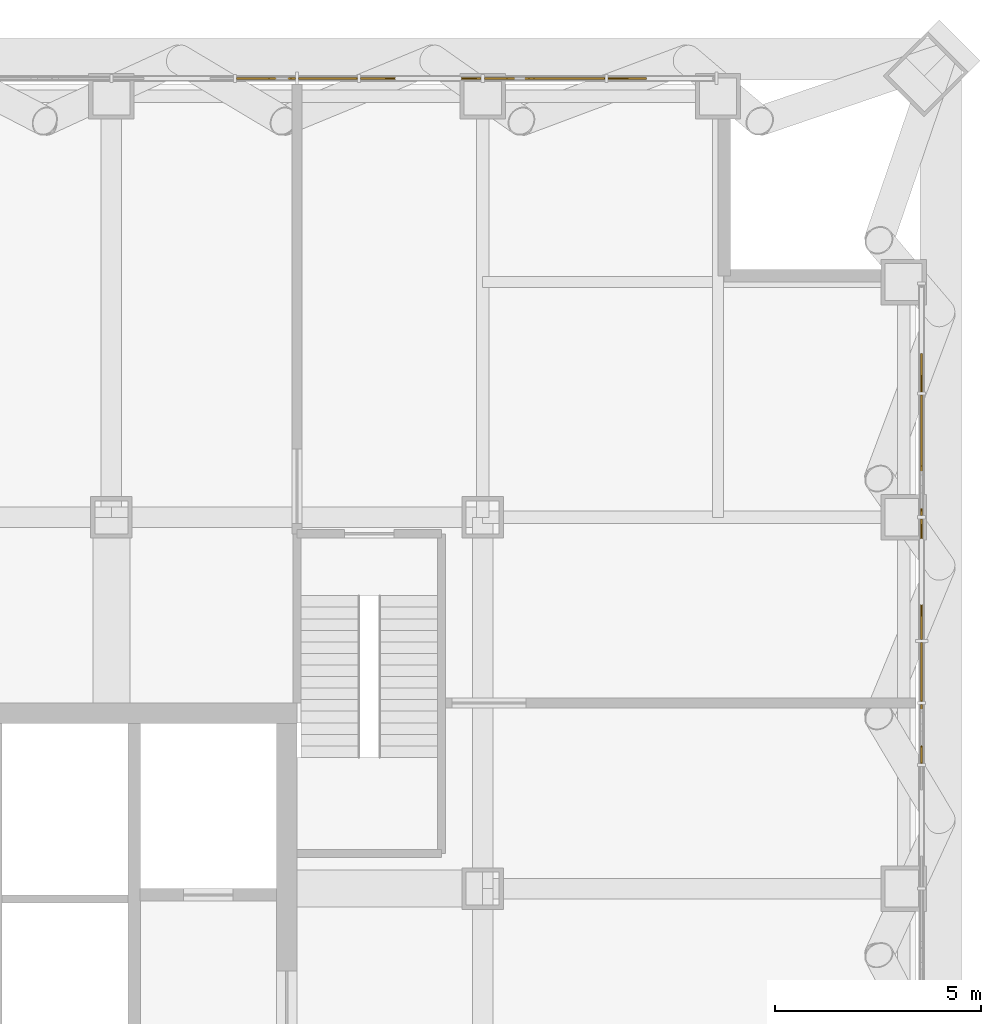
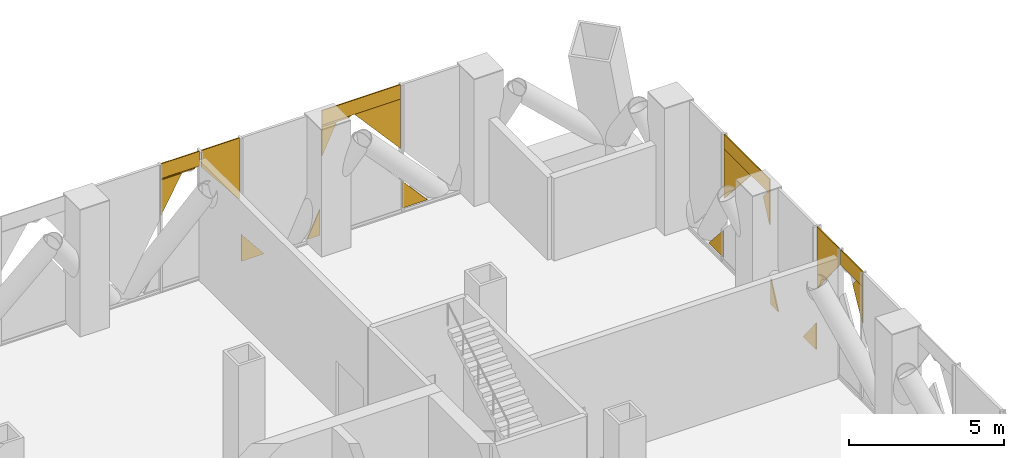
# One storey, part 19 of 29: 20 coverings.
"""IFC4 building model written with IfcOpenShell, lengths in metres."""

import ifcopenshell
import ifcopenshell.guid

model = None  # the IFC model being written
_history = None  # IfcOwnerHistory: only IFC2X3 demands one
_inside = {}  # id of a spatial element -> (the spatial element, [elements in it])
_under = {}  # id of a project, library or spatial element -> (it, [spatial elements below it])
_declared = {}  # id of a project -> (the project, [libraries it declares])
_typed = {}  # id of a type object -> (the type object, [elements of that type])
_made_of = {}  # id of a material, layer set ... -> (it, [elements and type objects made of it])


def new_model(schema):
    """Start an empty IFC model of exactly this schema.

    Asked for "IFC4X3", IfcOpenShell would pick the latest addendum, in which some entities
    have other attributes; the version numbers below select the first issue.
    IFC2X3 requires an IfcOwnerHistory on every rooted entity: one is made here for all.
    """
    global model, _history
    if schema == "IFC4X3":
        model = ifcopenshell.file(schema_version=(4, 3, 0, 0))
    else:
        model = ifcopenshell.file(schema=schema)
    _inside.clear()
    _under.clear()
    _declared.clear()
    _typed.clear()
    _made_of.clear()
    _history = None
    if model.schema == "IFC2X3":
        org = make("IfcOrganization", Name="unknown")
        user = make(
            "IfcPersonAndOrganization",
            ThePerson=make("IfcPerson", FamilyName="unknown"),
            TheOrganization=org,
        )
        app = make(
            "IfcApplication",
            ApplicationDeveloper=org,
            Version="unknown",
            ApplicationFullName="unknown",
            ApplicationIdentifier="unknown",
        )
        _history = make(
            "IfcOwnerHistory",
            OwningUser=user,
            OwningApplication=app,
            ChangeAction="ADDED",
            CreationDate=0,
        )
    return model


def make(cls, **values):
    """One entity of the class cls with the attributes given. An attribute that is None is left unset."""
    return model.create_entity(
        cls, **{name: value for name, value in values.items() if value is not None}
    )


def rooted(cls, **values):
    """An entity with a GlobalId (a new one), such as an element, a storey or a relation."""
    return make(cls, GlobalId=ifcopenshell.guid.new(), OwnerHistory=_history, **values)


def si_unit(unit_type, name, prefix=None):
    """IfcSIUnit, for example si_unit("LENGTHUNIT", "METRE", prefix="MILLI")."""
    return make("IfcSIUnit", UnitType=unit_type, Prefix=prefix, Name=name)


def assignment(units):
    """IfcUnitAssignment: the units of a project."""
    return None if units is None else make("IfcUnitAssignment", Units=units)


def point(xyz):
    """IfcCartesianPoint."""
    return None if xyz is None else make("IfcCartesianPoint", Coordinates=xyz)


def direction(xyz):
    """IfcDirection."""
    return None if xyz is None else make("IfcDirection", DirectionRatios=xyz)


def frame(location, z_axis=None, x_axis=None):
    """IfcAxis2Placement3D, a coordinate frame: its origin and axes. An axis left out is left unset."""
    return make(
        "IfcAxis2Placement3D",
        Location=point(location),
        Axis=direction(z_axis),
        RefDirection=direction(x_axis),
    )


def origin():
    """The frame at (0, 0, 0) with its axes left unset."""
    return frame((0.0, 0.0, 0.0))


def place(relative_to, where):
    """IfcLocalPlacement: puts the frame where relative to a parent placement (None: the world)."""
    return make(
        "IfcLocalPlacement", PlacementRelTo=relative_to, RelativePlacement=where
    )


def context(
    kind, dimensions, precision=None, world=None, true_north=None, identifier=None
):
    """IfcGeometricRepresentationContext, for example the 3D "Model" context."""
    return make(
        "IfcGeometricRepresentationContext",
        ContextIdentifier=identifier,
        ContextType=kind,
        CoordinateSpaceDimension=dimensions,
        Precision=precision,
        WorldCoordinateSystem=world,
        TrueNorth=true_north,
    )


def subcontext(parent, identifier, kind, view, scale=None):
    """IfcGeometricRepresentationSubContext, for example "Body" below "Model"."""
    return make(
        "IfcGeometricRepresentationSubContext",
        ContextIdentifier=identifier,
        ContextType=kind,
        ParentContext=parent,
        TargetScale=scale,
        TargetView=view,
    )


def project(units=None, contexts=None):
    """IfcProject with its units and contexts."""
    return rooted(
        "IfcProject",
        Name="project",
        RepresentationContexts=contexts,
        UnitsInContext=assignment(units),
    )


def spatial(cls, under=None, at=None, **own):
    """A site, building, storey or space (cls), placed at a placement, below another one or the project."""
    s = rooted(cls, ObjectPlacement=at, **own)
    if under is not None:
        _under.setdefault(under.id(), (under, []))[1].append(s)
    return s


def polyline(points):
    """IfcPolyline through the points."""
    return make("IfcPolyline", Points=[point(p) for p in points])


def outline(outer, holes=None, kind="AREA"):
    """IfcArbitraryClosedProfileDef: a profile drawn as a closed curve; with holes, ...WithVoids."""
    if holes is None:
        return make("IfcArbitraryClosedProfileDef", ProfileType=kind, OuterCurve=outer)
    return make(
        "IfcArbitraryProfileDefWithVoids",
        ProfileType=kind,
        OuterCurve=outer,
        InnerCurves=holes,
    )


def extrude(swept, where, along, depth):
    """IfcExtrudedAreaSolid: the profile swept, set in the frame where, extruded along a direction by depth."""
    return make(
        "IfcExtrudedAreaSolid",
        SweptArea=swept,
        Position=where,
        ExtrudedDirection=direction(along),
        Depth=depth,
    )


def shape(context_of_items, identifier, shape_type, items):
    """IfcShapeRepresentation: the items that make up one representation, for example the "Body"."""
    return make(
        "IfcShapeRepresentation",
        ContextOfItems=context_of_items,
        RepresentationIdentifier=identifier,
        RepresentationType=shape_type,
        Items=items,
    )


def material(Name=None, Category=None):
    """IfcMaterial."""
    return make("IfcMaterial", Name=Name, Category=Category)


def layer(
    of_material, thickness, ventilated=None, Name=None, Category=None, Priority=None
):
    """IfcMaterialLayer: one layer of a wall or slab, of a material (None: an air gap)."""
    return make(
        "IfcMaterialLayer",
        Material=of_material,
        LayerThickness=thickness,
        IsVentilated=ventilated,
        Name=Name,
        Category=Category,
        Priority=Priority,
    )


def layer_set(layers, Name=None):
    """IfcMaterialLayerSet."""
    return make("IfcMaterialLayerSet", MaterialLayers=layers, LayerSetName=Name)


def made_of(thing, what):
    """Note that an element or type object is made of a material, layer set ...; save() writes the relation."""
    if what is not None:
        _made_of.setdefault(what.id(), (what, []))[1].append(thing)
    return thing


def type_object(cls, material=None, **own):
    """A type object (cls), such as IfcWallType, which elements share."""
    return made_of(rooted(cls, **own), material)


def element(
    cls,
    number,
    at=None,
    inside=None,
    cuts=None,
    type_object=None,
    material=None,
    context=None,
    identifier="Body",
    shape_type=None,
    held_by="IfcProductDefinitionShape",
    body=None,
    shapes=None,
    **own,
):
    """One element of the class cls, such as IfcWall. Its Tag is "e" and its number.

    at: its placement. inside: the storey or other place that contains it. cuts: it is an
    opening in that element (IfcRelVoidsElement). A single representation is given by context,
    identifier, shape_type and body (its items); several are given by shapes. held_by: the class
    of the entity that holds the representations. save() writes the other relations.
    """
    e = rooted(cls, Tag="e%d" % number, ObjectPlacement=at, **own)
    if body is not None:
        shapes = [shape(context, identifier, shape_type, body)]
    if shapes is not None:
        e.Representation = make(held_by, Representations=shapes)
    if inside is not None:
        _inside.setdefault(inside.id(), (inside, []))[1].append(e)
    if cuts is not None:
        rooted(
            "IfcRelVoidsElement", RelatingBuildingElement=cuts, RelatedOpeningElement=e
        )
    if type_object is not None:
        _typed.setdefault(type_object.id(), (type_object, []))[1].append(e)
    return made_of(e, material)


def aggregate(whole, parts):
    """IfcRelAggregates: a whole, such as a stair, and the parts it consists of."""
    return rooted("IfcRelAggregates", RelatingObject=whole, RelatedObjects=parts)


def save(model, path):
    """Write the relations noted so far, then the file.

    IfcRelAggregates (storeys below a building ...), IfcRelContainedInSpatialStructure (elements
    in a storey), IfcRelDefinesByType, IfcRelAssociatesMaterial and IfcRelDeclares: one each for
    every whole, place, type object, material and project.
    """
    for whole, parts in _under.values():
        aggregate(whole, parts)
    for where, things in _inside.values():
        rooted(
            "IfcRelContainedInSpatialStructure",
            RelatedElements=things,
            RelatingStructure=where,
        )
    for kind, things in _typed.values():
        rooted("IfcRelDefinesByType", RelatedObjects=things, RelatingType=kind)
    for what, things in _made_of.values():
        rooted("IfcRelAssociatesMaterial", RelatedObjects=things, RelatingMaterial=what)
    for by, libraries in _declared.values():
        rooted("IfcRelDeclares", RelatingContext=by, RelatedDefinitions=libraries)
    model.write(path)


model = new_model("IFC4")

# Units and contexts
model_context = context("Model", 3, precision=1e-05, world=origin(), true_north=direction((0.0, 1.0)))
body_context = subcontext(model_context, "Body", "Model", "MODEL_VIEW")
ifc_project = project(units=[si_unit("LENGTHUNIT", "METRE"), si_unit("AREAUNIT", "SQUARE_METRE"), si_unit("VOLUMEUNIT", "CUBIC_METRE"), si_unit("PLANEANGLEUNIT", "RADIAN"), si_unit("MASSUNIT", "GRAM", prefix="KILO")], contexts=[model_context])

# Site, building, storey
site_placement = place(None, origin())
site = spatial("IfcSite", under=ifc_project, at=site_placement, CompositionType="ELEMENT")
building_placement = place(site_placement, origin())
building = spatial("IfcBuilding", under=site, at=building_placement, Name="Malebo Sky Hospital", CompositionType="ELEMENT")
storey_placement = place(building_placement, frame((0.0, 0.0, 172.0)))
storey = spatial("IfcBuildingStorey", under=building, at=storey_placement, Name="L41", CompositionType="ELEMENT", Elevation=172.0)

# Coverings
ifc_material = material(Name="Anodised aluminium, natural silver insulated infill panel", Category="aluminium")
ifc_layer = layer(ifc_material, 0.0400390625)
ifc_layer_set = layer_set([ifc_layer], Name="BRACE INFILL PANEL 40")
covering_type = type_object("IfcCoveringType", Name="BRACE INFILL PANEL 40", PredefinedType="CLADDING", material=ifc_layer_set)
covering_1_placement = place(storey_placement, frame((67.926513671875, 86.135009765625, 2.95947265625), z_axis=(0.0, 0.0, 1.0), x_axis=(1.0, 0.0, 0.0)))
element("IfcCovering", 1, at=covering_1_placement, inside=storey, type_object=covering_type, Name="Brace infill panel 11.1", PredefinedType="CLADDING", context=body_context, shape_type="SweptSolid", body=[
    extrude(outline(polyline([(-0.388916015625, 0.0), (0.388916015625, 1.408447265625), (-0.388916015625, 1.408447265625), (-0.388916015625, 0.0)])), frame((0.0, 0.02001953125, 0.0), z_axis=(0.0, -1.0, 0.0), x_axis=(1.0, 0.0, 0.0)), (0.0, 0.0, 1.0), 0.0400390625),
])
covering_2_placement = place(storey_placement, frame((68.25, 86.135009765625, 4.407958984375), z_axis=(0.0, 0.0, 1.0), x_axis=(1.0, 0.0, 0.0)))
element("IfcCovering", 2, at=covering_2_placement, inside=storey, type_object=covering_type, Name="Brace infill panel 11.2", PredefinedType="CLADDING", context=body_context, shape_type="SweptSolid", body=[
    extrude(outline(polyline([(-0.71240234375, 0.0), (0.71240234375, 0.0), (0.71240234375, 0.58203125), (-0.71240234375, 0.58203125), (-0.71240234375, 0.0)])), frame((0.0, 0.02001953125, 0.0), z_axis=(0.0, -1.0, 0.0), x_axis=(1.0, 0.0, 0.0)), (0.0, 0.0, 1.0), 0.0400390625),
])
covering_3_placement = place(storey_placement, frame((68.192626953125, 86.135009765625, 4.36767578125), z_axis=(0.0, 0.0, 1.0), x_axis=(1.0, 0.0, 0.0)))
element("IfcCovering", 3, at=covering_3_placement, inside=storey, type_object=covering_type, Name="Brace infill panel 11.4", PredefinedType="CLADDING", context=body_context, shape_type="SweptSolid", body=[
    extrude(outline(polyline([(-0.6552734375, 0.0), (0.5888671875, 0.0), (0.6552734375, 0.040283203125), (-0.6552734375, 0.040283203125), (-0.6552734375, 0.0)])), frame((0.0, 0.02001953125, 0.0), z_axis=(0.0, -1.0, 0.0), x_axis=(1.0, 0.0, 0.0)), (0.0, 0.0, 1.0), 0.0400390625),
])
covering_4_placement = place(storey_placement, frame((69.75, 86.135009765625, 2.552978515625), z_axis=(0.0, 0.0, 1.0), x_axis=(1.0, 0.0, 0.0)))
element("IfcCovering", 4, at=covering_4_placement, inside=storey, type_object=covering_type, Name="Brace infill panel 12.1", PredefinedType="CLADDING", context=body_context, shape_type="SweptSolid", body=[
    extrude(outline(polyline([(0.71240234375, 0.0), (0.71240234375, 2.43701171875), (-0.71240234375, 2.43701171875), (-0.71240234375, 1.782470703125), (0.71240234375, 0.0)])), frame((0.0, 0.02001953125, 0.0), z_axis=(0.0, -1.0, 0.0), x_axis=(1.0, 0.0, 0.0)), (0.0, 0.0, 1.0), 0.0400390625),
])
covering_5_placement = place(storey_placement, frame((70.957275390625, 86.135009765625, 0.099853515625), z_axis=(0.0, 0.0, 1.0), x_axis=(1.0, 0.0, 0.0)))
element("IfcCovering", 5, at=covering_5_placement, inside=storey, type_object=covering_type, Name="Brace infill panel 13.1", PredefinedType="CLADDING", context=body_context, shape_type="SweptSolid", body=[
    extrude(outline(polyline([(-0.419921875, 0.0), (0.419921875, 0.0), (-0.419921875, 1.05029296875), (-0.419921875, 0.0)])), frame((0.0, 0.02001953125, 0.0), z_axis=(0.0, -1.0, 0.0), x_axis=(1.0, 0.0, 0.0)), (0.0, 0.0, 1.0), 0.0400390625),
])
covering_6_placement = place(storey_placement, frame((73.222900390625, 86.135009765625, 0.10009765625), z_axis=(0.0, 0.0, 1.0), x_axis=(1.0, 0.0, 0.0)))
element("IfcCovering", 6, at=covering_6_placement, inside=storey, type_object=covering_type, Name="Brace infill panel 13.2", PredefinedType="CLADDING", context=body_context, shape_type="SweptSolid", body=[
    extrude(outline(polyline([(-0.239501953125, 0.0), (0.23974609375, 0.0), (0.23974609375, 1.020263671875), (-0.239501953125, 0.0)])), frame((0.0, 0.02001953125, 0.0), z_axis=(0.0, -1.0, 0.0), x_axis=(1.0, 0.0, 0.0)), (0.0, 0.0, 1.0), 0.0400390625),
])
covering_7_placement = place(storey_placement, frame((75.602783203125, 86.135009765625, 2.46923828125), z_axis=(0.0, 0.0, 1.0), x_axis=(1.0, 0.0, 0.0)))
element("IfcCovering", 7, at=covering_7_placement, inside=storey, type_object=covering_type, Name="Brace infill panel 14.1", PredefinedType="CLADDING", context=body_context, shape_type="SweptSolid", body=[
    extrude(outline(polyline([(0.85986328125, 0.0), (0.85986328125, 1.94970703125), (-0.859619140625, 1.94970703125), (0.85986328125, 0.0)])), frame((0.0, 0.02001953125, 0.0), z_axis=(0.0, -1.0, 0.0), x_axis=(1.0, 0.0, 0.0)), (0.0, 0.0, 1.0), 0.0400390625),
])
covering_8_placement = place(storey_placement, frame((73.810791015625, 86.135009765625, 3.1884765625), z_axis=(0.0, 0.0, 1.0), x_axis=(1.0, 0.0, 0.0)))
element("IfcCovering", 8, at=covering_8_placement, inside=storey, type_object=covering_type, Name="Brace infill panel 14.2", PredefinedType="CLADDING", context=body_context, shape_type="SweptSolid", body=[
    extrude(outline(polyline([(-0.2734375, 0.0), (0.2734375, 1.1640625), (-0.2734375, 1.1640625), (-0.2734375, 0.0)])), frame((0.0, 0.02001953125, 0.0), z_axis=(0.0, -1.0, 0.0), x_axis=(1.0, 0.0, 0.0)), (0.0, 0.0, 1.0), 0.0400390625),
])
covering_9_placement = place(storey_placement, frame((75.0, 86.135009765625, 4.419189453125), z_axis=(0.0, 0.0, 1.0), x_axis=(1.0, 0.0, 0.0)))
element("IfcCovering", 9, at=covering_9_placement, inside=storey, type_object=covering_type, Name="Brace infill panel 14.3", PredefinedType="CLADDING", context=body_context, shape_type="SweptSolid", body=[
    extrude(outline(polyline([(-1.46240234375, 0.0), (1.46240234375, 0.0), (1.46240234375, 0.57080078125), (-1.46240234375, 0.57080078125), (-1.46240234375, 0.0)])), frame((0.0, 0.02001953125, 0.0), z_axis=(0.0, -1.0, 0.0), x_axis=(1.0, 0.0, 0.0)), (0.0, 0.0, 1.0), 0.0400390625),
])
covering_10_placement = place(storey_placement, frame((74.0791015625, 86.135009765625, 4.3525390625), z_axis=(0.0, 0.0, 1.0), x_axis=(1.0, 0.0, 0.0)))
element("IfcCovering", 10, at=covering_10_placement, inside=storey, type_object=covering_type, Name="Brace infill panel 14.5", PredefinedType="CLADDING", context=body_context, shape_type="SweptSolid", body=[
    extrude(outline(polyline([(-0.54150390625, 0.0), (0.441162109375, 0.0), (0.54150390625, 0.066650390625), (-0.54150390625, 0.066650390625), (-0.54150390625, 0.0)])), frame((0.0, 0.02001953125, 0.0), z_axis=(0.0, -1.0, 0.0), x_axis=(1.0, 0.0, 0.0)), (0.0, 0.0, 1.0), 0.0400390625),
])
covering_11_placement = place(storey_placement, frame((77.001953125, 86.135009765625, 0.10009765625), z_axis=(0.0, 0.0, 1.0), x_axis=(1.0, 0.0, 0.0)))
element("IfcCovering", 11, at=covering_11_placement, inside=storey, type_object=covering_type, Name="Brace infill panel 15.1", PredefinedType="CLADDING", context=body_context, shape_type="SweptSolid", body=[
    extrude(outline(polyline([(-0.46435546875, 0.0), (0.46435546875, 0.0), (-0.46435546875, 1.052978515625), (-0.46435546875, 0.0)])), frame((0.0, 0.02001953125, 0.0), z_axis=(0.0, -1.0, 0.0), x_axis=(1.0, 0.0, 0.0)), (0.0, 0.0, 1.0), 0.0400390625),
])
covering_12_placement = place(storey_placement, frame((84.135009765625, 79.001953125, 0.10009765625), z_axis=(0.0, 0.0, 1.0), x_axis=(0.0, -1.0, 0.0)))
element("IfcCovering", 12, at=covering_12_placement, inside=storey, type_object=covering_type, Name="Brace infill panel 1.1", PredefinedType="CLADDING", context=body_context, shape_type="SweptSolid", body=[
    extrude(outline(polyline([(-0.46435546875, 0.0), (0.46435546875, 0.0), (0.46435546875, 1.052978515625), (-0.46435546875, 0.0)])), frame((0.0, 0.02001953125, 0.0), z_axis=(0.0, -1.0, 0.0), x_axis=(1.0, 0.0, 0.0)), (0.0, 0.0, 1.0), 0.0400390625),
])
covering_13_placement = place(storey_placement, frame((84.135009765625, 77.602783203125, 2.46923828125), z_axis=(0.0, 0.0, 1.0), x_axis=(0.0, -1.0, 0.0)))
element("IfcCovering", 13, at=covering_13_placement, inside=storey, type_object=covering_type, Name="Brace infill panel 2.1", PredefinedType="CLADDING", context=body_context, shape_type="SweptSolid", body=[
    extrude(outline(polyline([(-0.85986328125, 0.0), (0.859619140625, 1.94970703125), (-0.85986328125, 1.94970703125), (-0.85986328125, 0.0)])), frame((0.0, 0.02001953125, 0.0), z_axis=(0.0, -1.0, 0.0), x_axis=(1.0, 0.0, 0.0)), (0.0, 0.0, 1.0), 0.0400390625),
])
covering_14_placement = place(storey_placement, frame((84.135009765625, 75.746826171875, 3.1884765625), z_axis=(0.0, 0.0, 1.0), x_axis=(0.0, -1.0, 0.0)))
element("IfcCovering", 14, at=covering_14_placement, inside=storey, type_object=covering_type, Name="Brace infill panel 2.2", PredefinedType="CLADDING", context=body_context, shape_type="SweptSolid", body=[
    extrude(outline(polyline([(0.20947265625, 0.0), (0.20947265625, 1.230712890625), (0.089599609375, 1.230712890625), (-0.20947265625, 0.8916015625), (0.20947265625, 0.0)])), frame((0.0, 0.02001953125, 0.0), z_axis=(0.0, -1.0, 0.0), x_axis=(1.0, 0.0, 0.0)), (0.0, 0.0, 1.0), 0.0400390625),
])
covering_15_placement = place(storey_placement, frame((84.135009765625, 77.0, 4.419189453125), z_axis=(0.0, 0.0, 1.0), x_axis=(0.0, -1.0, 0.0)))
element("IfcCovering", 15, at=covering_15_placement, inside=storey, type_object=covering_type, Name="Brace infill panel 2.3", PredefinedType="CLADDING", context=body_context, shape_type="SweptSolid", body=[
    extrude(outline(polyline([(-1.46240234375, 0.0), (1.46240234375, 0.0), (1.46240234375, 0.57080078125), (-1.46240234375, 0.57080078125), (-1.46240234375, 0.0)])), frame((0.0, 0.02001953125, 0.0), z_axis=(0.0, -1.0, 0.0), x_axis=(1.0, 0.0, 0.0)), (0.0, 0.0, 1.0), 0.0400390625),
])
covering_16_placement = place(storey_placement, frame((84.135009765625, 75.222900390625, 0.10009765625), z_axis=(0.0, 0.0, 1.0), x_axis=(0.0, -1.0, 0.0)))
element("IfcCovering", 16, at=covering_16_placement, inside=storey, type_object=covering_type, Name="Brace infill panel 3.1", PredefinedType="CLADDING", context=body_context, shape_type="SweptSolid", body=[
    extrude(outline(polyline([(-0.23974609375, 0.0), (0.239501953125, 0.0), (-0.23974609375, 1.020263671875), (-0.23974609375, 0.0)])), frame((0.0, 0.02001953125, 0.0), z_axis=(0.0, -1.0, 0.0), x_axis=(1.0, 0.0, 0.0)), (0.0, 0.0, 1.0), 0.0400390625),
])
covering_17_placement = place(storey_placement, frame((84.135009765625, 72.957275390625, 0.099853515625), z_axis=(0.0, 0.0, 1.0), x_axis=(0.0, -1.0, 0.0)))
element("IfcCovering", 17, at=covering_17_placement, inside=storey, type_object=covering_type, Name="Brace infill panel 3.2", PredefinedType="CLADDING", context=body_context, shape_type="SweptSolid", body=[
    extrude(outline(polyline([(-0.419921875, 0.0), (0.419921875, 0.0), (0.419921875, 1.05029296875), (-0.419921875, 0.0)])), frame((0.0, 0.02001953125, 0.0), z_axis=(0.0, -1.0, 0.0), x_axis=(1.0, 0.0, 0.0)), (0.0, 0.0, 1.0), 0.0400390625),
])
covering_18_placement = place(storey_placement, frame((84.135009765625, 71.75, 2.552978515625), z_axis=(0.0, 0.0, 1.0), x_axis=(0.0, -1.0, 0.0)))
element("IfcCovering", 18, at=covering_18_placement, inside=storey, type_object=covering_type, Name="Brace infill panel 4.1", PredefinedType="CLADDING", context=body_context, shape_type="SweptSolid", body=[
    extrude(outline(polyline([(-0.71240234375, 0.0), (0.71240234375, 1.782470703125), (0.71240234375, 2.43701171875), (-0.71240234375, 2.43701171875), (-0.71240234375, 0.0)])), frame((0.0, 0.02001953125, 0.0), z_axis=(0.0, -1.0, 0.0), x_axis=(1.0, 0.0, 0.0)), (0.0, 0.0, 1.0), 0.0400390625),
])
covering_19_placement = place(storey_placement, frame((84.135009765625, 69.85498046875, 2.95947265625), z_axis=(0.0, 0.0, 1.0), x_axis=(0.0, -1.0, 0.0)))
element("IfcCovering", 19, at=covering_19_placement, inside=storey, type_object=covering_type, Name="Brace infill panel 5.1", PredefinedType="CLADDING", context=body_context, shape_type="SweptSolid", body=[
    extrude(outline(polyline([(0.3173828125, 0.0), (0.3173828125, 1.448486328125), (-0.078125, 1.448486328125), (-0.3173828125, 1.1494140625), (0.3173828125, 0.0)])), frame((0.0, 0.02001953125, 0.0), z_axis=(0.0, -1.0, 0.0), x_axis=(1.0, 0.0, 0.0)), (0.0, 0.0, 1.0), 0.0400390625),
])
covering_20_placement = place(storey_placement, frame((84.135009765625, 70.25, 4.407958984375), z_axis=(0.0, 0.0, 1.0), x_axis=(0.0, -1.0, 0.0)))
element("IfcCovering", 20, at=covering_20_placement, inside=storey, type_object=covering_type, Name="Brace infill panel 5.2", PredefinedType="CLADDING", context=body_context, shape_type="SweptSolid", body=[
    extrude(outline(polyline([(-0.71240234375, 0.0), (0.71240234375, 0.0), (0.71240234375, 0.58203125), (-0.71240234375, 0.58203125), (-0.71240234375, 0.0)])), frame((0.0, 0.02001953125, 0.0), z_axis=(0.0, -1.0, 0.0), x_axis=(1.0, 0.0, 0.0)), (0.0, 0.0, 1.0), 0.0400390625),
])

save(model, "model.ifc")
